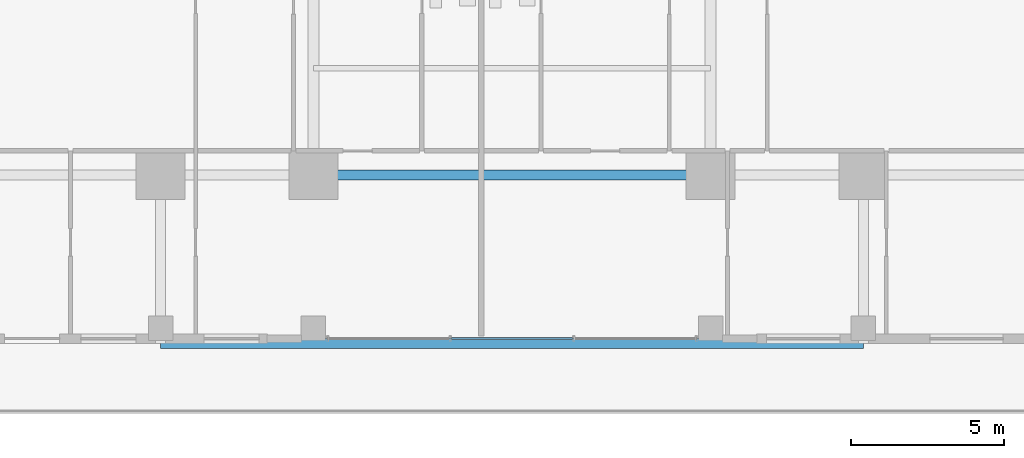
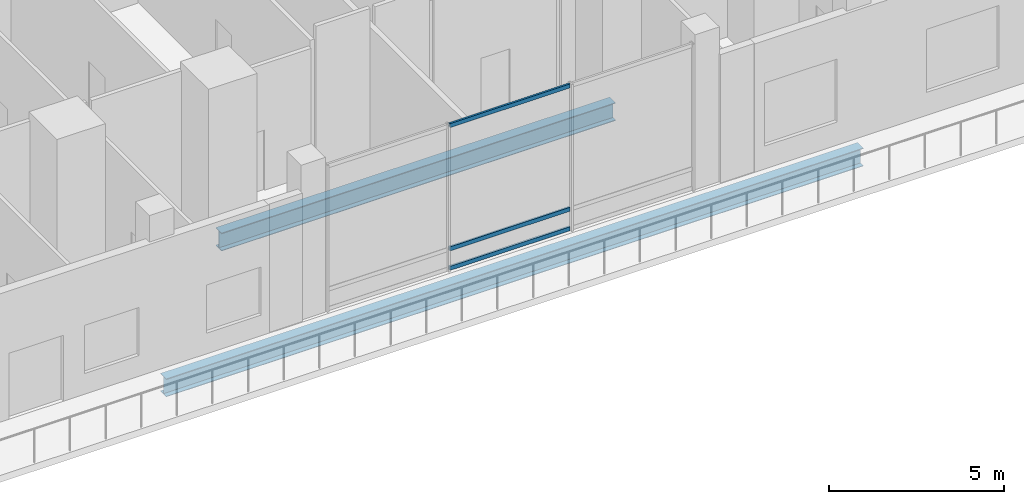
# One storey, part 4 of 32: 3 members, 2 beams, 1 element without a shape of its own.
"""IFC4 building model written with IfcOpenShell, lengths in metres."""

from ifc_helpers import new_model, si_unit, direction, frame, origin, origin_2d, place, context, subcontext, project, spatial, hollow_rectangle, i_section, extrude, material, layer, layer_set, material_profile, profile_set, type_object, element, aggregate, save


model = new_model("IFC4")

# Units and contexts
model_context = context("Model", 3, precision=1e-05, world=origin(), true_north=direction((0.0, 1.0)))
body_context = subcontext(model_context, "Body", "Model", "MODEL_VIEW")
ifc_project = project(units=[si_unit("LENGTHUNIT", "METRE"), si_unit("AREAUNIT", "SQUARE_METRE"), si_unit("VOLUMEUNIT", "CUBIC_METRE"), si_unit("PLANEANGLEUNIT", "RADIAN"), si_unit("MASSUNIT", "GRAM", prefix="KILO")], contexts=[model_context])

# Site, building, storey
site_placement = place(None, origin())
site = spatial("IfcSite", under=ifc_project, at=site_placement, CompositionType="ELEMENT")
building_placement = place(site_placement, origin())
building = spatial("IfcBuilding", under=site, at=building_placement, Name="Barlavira Tower and Art Museum", CompositionType="ELEMENT")
storey_placement = place(building_placement, frame((0.0, 0.0, 6.0)))
storey = spatial("IfcBuildingStorey", under=building, at=storey_placement, Name="L01", CompositionType="ELEMENT", Elevation=6.0)

# Curtain wall, members
ifc_material_1 = material(Name="Low-iron coastal laminated glass", Category="glass")
ifc_layer = layer(ifc_material_1, 0.179931640625, Name="Low-iron coastal laminated glass")
ifc_layer_set = layer_set([ifc_layer], Name="Low-iron coastal laminated glass")
curtain_wall_type = type_object("IfcCurtainWallType", Name="Pale-Metal Unitised Curtain Wall Zone 1", PredefinedType="NOTDEFINED", material=ifc_layer_set)
curtain_wall_placement = place(storey_placement, origin())
curtain_wall = element("IfcCurtainWall", 1, at=curtain_wall_placement, inside=storey, type_object=curtain_wall_type, Name="L01 Curtain Wall CW1-L01-S-B2", PredefinedType="NOTDEFINED")
ifc_material_2 = material(Name="Pale anodised aluminium", Category="aluminium")
ifc_material_profile_1 = material_profile(ifc_material_2, hollow_rectangle(XDim=0.06494140625, YDim=0.139892578125, WallThickness=0.00390625, at=origin_2d()), Name="ALU-TRAN 65x140x4")
ifc_profile_set_1 = profile_set([ifc_material_profile_1], Name="Pale anodised aluminium")
member_type = type_object("IfcMemberType", Name="Curtain Wall Pale-Metal Transom 65x140", PredefinedType="USERDEFINED", material=ifc_profile_set_1)
member_1_placement = place(storey_placement, frame((-1.981689453125, -25.35009765625, 0.070068359375), z_axis=(1.0, 0.0, 0.0), x_axis=(0.0, 1.0, 0.0)))
member_1 = element("IfcMember", 2, at=member_1_placement, type_object=member_type, Name="CW1-L01-S-B2 Transom 1.1", ObjectType="TRANSOM", PredefinedType="USERDEFINED", context=body_context, shape_type="SweptSolid", body=[
    extrude(hollow_rectangle(XDim=0.06494140625, YDim=0.139892578125, WallThickness=0.00390625, at=origin_2d()), origin(), (0.0, 0.0, 1.0), 3.96337890625),
])
member_2_placement = place(storey_placement, frame((-1.981689453125, -25.35009765625, 0.75), z_axis=(1.0, 0.0, 0.0), x_axis=(0.0, 1.0, 0.0)))
member_2 = element("IfcMember", 3, at=member_2_placement, type_object=member_type, Name="CW1-L01-S-B2 Transom 1.2", ObjectType="TRANSOM", PredefinedType="USERDEFINED", context=body_context, shape_type="SweptSolid", body=[
    extrude(hollow_rectangle(XDim=0.06494140625, YDim=0.139892578125, WallThickness=0.00390625, at=origin_2d()), origin(), (0.0, 0.0, 1.0), 3.96337890625),
])
member_3_placement = place(storey_placement, frame((-1.981689453125, -25.35009765625, 5.050048828125), z_axis=(1.0, 0.0, 0.0), x_axis=(0.0, 1.0, 0.0)))
member_3 = element("IfcMember", 4, at=member_3_placement, type_object=member_type, Name="CW1-L01-S-B2 Transom 1.3", ObjectType="TRANSOM", PredefinedType="USERDEFINED", context=body_context, shape_type="SweptSolid", body=[
    extrude(hollow_rectangle(XDim=0.06494140625, YDim=0.139892578125, WallThickness=0.00390625, at=origin_2d()), origin(), (0.0, 0.0, 1.0), 3.96337890625),
])
aggregate(curtain_wall, [member_1, member_2, member_3])

# Beams
ifc_material_3 = material(Name="Steel S355", Category="steel")
ifc_material_profile_2 = material_profile(ifc_material_3, i_section(OverallWidth=0.327880859375, OverallDepth=0.62890625, WebThickness=0.013916015625, FlangeThickness=0.021484375, at=origin_2d()), Name="W610x174.0")
ifc_profile_set_2 = profile_set([ifc_material_profile_2], Name="Steel S355")
beam_type = type_object("IfcBeamType", Name="Perimeter Spandrel Edge Beam W610x174 Steel S355", PredefinedType="SPANDREL", material=ifc_profile_set_2)
beam_1_placement = place(storey_placement, frame((-6.5, -20.0, -0.594482421875), z_axis=(1.0, 0.0, 0.0), x_axis=(0.0, 1.0, 0.0)))
element("IfcBeam", 5, at=beam_1_placement, inside=storey, type_object=beam_type, Name="L01 Podium Spandrel PS3", PredefinedType="SPANDREL", context=body_context, shape_type="SweptSolid", body=[
    extrude(i_section(OverallWidth=0.327880859375, OverallDepth=0.62890625, WebThickness=0.013916015625, FlangeThickness=0.021484375, at=origin_2d()), origin(), (0.0, 0.0, 1.0), 13.0),
])
beam_2_placement = place(storey_placement, frame((-11.5, -25.5, -0.594482421875), z_axis=(1.0, 0.0, 0.0), x_axis=(0.0, 1.0, 0.0)))
element("IfcBeam", 6, at=beam_2_placement, inside=storey, type_object=beam_type, Name="L01 South Cascade Edge Spandrel", PredefinedType="SPANDREL", context=body_context, shape_type="SweptSolid", body=[
    extrude(i_section(OverallWidth=0.327880859375, OverallDepth=0.62890625, WebThickness=0.013916015625, FlangeThickness=0.021484375, at=origin_2d()), origin(), (0.0, 0.0, 1.0), 23.0),
])

save(model, "model.ifc")
